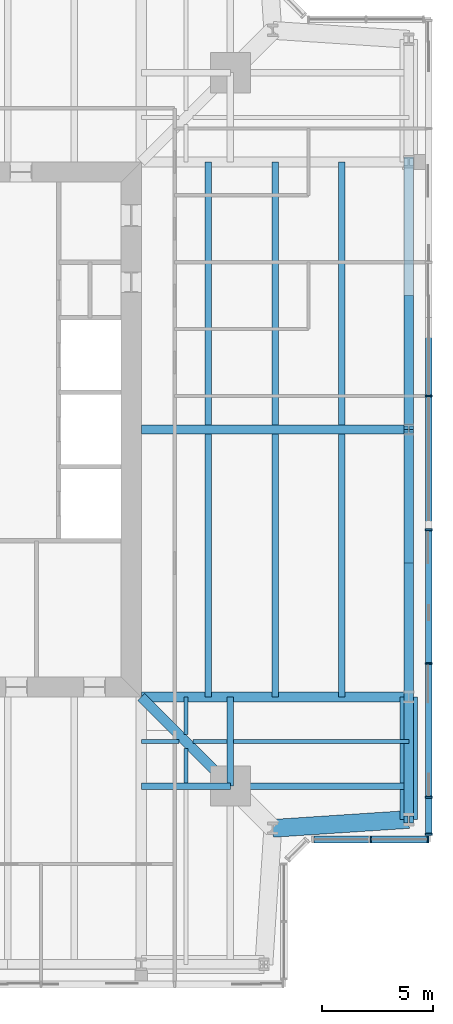
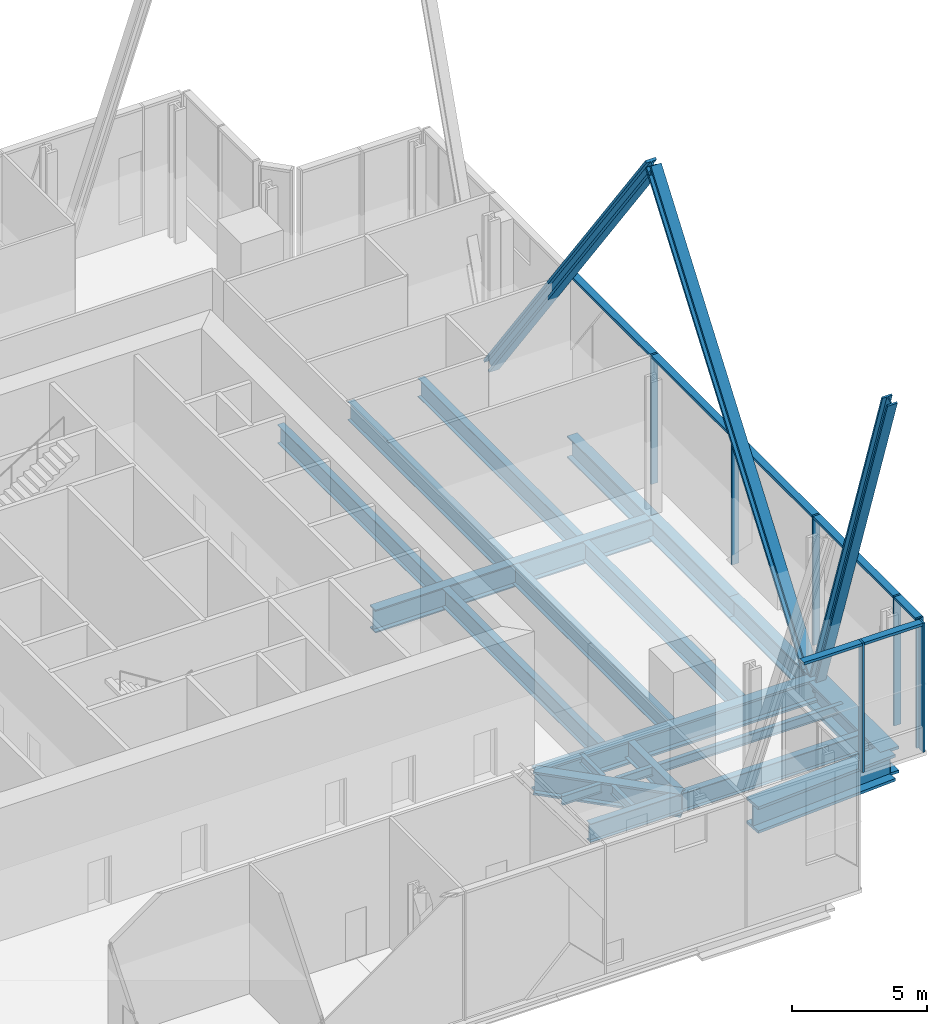
# One storey, part 4 of 20: 22 beams, 17 members, 2 elements without a shape of their own.
"""IFC4 building model written with IfcOpenShell, lengths in metres."""

from ifc_helpers import new_model, si_unit, direction, frame, origin, origin_2d, place, context, subcontext, project, spatial, rectangle, i_section, extrude, material, material_profile, profile_set, type_object, element, aggregate, save


model = new_model("IFC4")

# Units and contexts
model_context = context("Model", 3, precision=1e-05, world=origin(), true_north=direction((0.0, 1.0)))
body_context = subcontext(model_context, "Body", "Model", "MODEL_VIEW")
ifc_project = project(units=[si_unit("LENGTHUNIT", "METRE"), si_unit("AREAUNIT", "SQUARE_METRE"), si_unit("VOLUMEUNIT", "CUBIC_METRE"), si_unit("PLANEANGLEUNIT", "RADIAN"), si_unit("MASSUNIT", "GRAM", prefix="KILO")], contexts=[model_context])

# Site, building, storey
site_placement = place(None, origin())
site = spatial("IfcSite", under=ifc_project, at=site_placement, CompositionType="ELEMENT")
building_placement = place(site_placement, origin())
building = spatial("IfcBuilding", under=site, at=building_placement, Name="Fenwick Lantern Interchange", CompositionType="ELEMENT")
storey_placement = place(building_placement, frame((0.0, 0.0, 239.800048828125)))
storey = spatial("IfcBuildingStorey", under=building, at=storey_placement, Name="L56", CompositionType="ELEMENT", Elevation=239.800048828125)

# Members
ifc_material_1 = material(Name="Steel ASTM A992 Grade 50", Category="steel")
ifc_material_profile_1 = material_profile(ifc_material_1, i_section(OverallWidth=0.424072265625, OverallDepth=0.47509765625, WebThickness=0.0478515625, FlangeThickness=0.0771484375, at=origin_2d()), Name="W14X426")
ifc_profile_set_1 = profile_set([ifc_material_profile_1], Name="Steel ASTM A992 Grade 50")
member_type_1 = type_object("IfcMemberType", Name="FACADE BRACE W14X426", PredefinedType="BRACE", material=ifc_profile_set_1)
member_1_placement = place(storey_placement, frame((49.0, 13.0, -0.696533203125), z_axis=(0.0, -0.31988030157, 0.947457963536), x_axis=(1.0, 0.0, 0.0)))
element("IfcMember", 1, at=member_1_placement, inside=storey, type_object=member_type_1, Name="L56/FB/E/AE", PredefinedType="BRACE", context=body_context, shape_type="SweptSolid", body=[
    extrude(i_section(OverallWidth=0.424072265625, OverallDepth=0.47509765625, WebThickness=0.0478515625, FlangeThickness=0.0771484375, at=origin_2d()), origin(), (0.0, 0.0, 1.0), 17.19384765625),
])
ifc_material_profile_2 = material_profile(ifc_material_1, i_section(OverallWidth=0.44189453125, OverallDepth=0.53076171875, WebThickness=0.06591796875, FlangeThickness=0.105712890625, at=origin_2d()), Name="W14X605")
ifc_profile_set_2 = profile_set([ifc_material_profile_2], Name="Steel ASTM A992 Grade 50")
member_type_2 = type_object("IfcMemberType", Name="FACADE BRACE W14X605", PredefinedType="BRACE", material=ifc_profile_set_2)
for number, where, z_axis, x_axis, name in (
    (2, (49.0, 13.0, -0.696533203125), (0.0, 0.593085430779, 0.805139535607), (-1.0, 0.0, 0.0), "L56/FB/E/A"),
    (3, (49.0, 37.0, -0.696533203125), (0.0, -0.593085430779, 0.805139535607), (1.0, 0.0, 0.0), "L56/FB/E/B"),
):
    element("IfcMember", number, at=place(storey_placement, frame(where, z_axis=z_axis, x_axis=x_axis)), inside=storey, type_object=member_type_2, Name=name, PredefinedType="BRACE", context=body_context, shape_type="SweptSolid", body=[
        extrude(i_section(OverallWidth=0.44189453125, OverallDepth=0.53076171875, WebThickness=0.06591796875, FlangeThickness=0.105712890625, at=origin_2d()), origin(), (0.0, 0.0, 1.0), 20.233154296875),
    ])

# Beams
ifc_material_profile_3 = material_profile(ifc_material_1, i_section(OverallWidth=0.2919921875, OverallDepth=0.845703125, WebThickness=0.015380859375, FlangeThickness=0.0244140625, at=origin_2d()), Name="W33X141")
ifc_profile_set_3 = profile_set([ifc_material_profile_3], Name="Steel ASTM A992 Grade 50")
beam_type_1 = type_object("IfcBeamType", Name="FLOOR BEAM W33X141", PredefinedType="BEAM", material=ifc_profile_set_3)
for number, where, z_axis, x_axis, name in (
    (4, (46.0, 13.0, -0.623046875), (0.0, 1.0, 0.0), (-1.0, 0.0, 0.0), "L56/FR/E/B01"),
    (5, (43.0, 13.0, -0.623046875), (0.0, 1.0, 0.0), (-1.0, 0.0, 0.0), "L56/FR/E/B02"),
    (6, (40.0, 13.0, -0.623046875), (0.0, 1.0, 0.0), (-1.0, 0.0, 0.0), "L56/FR/E/B03"),
    (7, (46.0, 25.20458984375, -0.623046875), (0.0, 1.0, 0.0), (-1.0, 0.0, 0.0), "L56/FR/E/B04"),
    (8, (43.0, 25.20458984375, -0.623046875), (0.0, 1.0, 0.0), (-1.0, 0.0, 0.0), "L56/FR/E/B05"),
    (9, (40.0, 25.20458984375, -0.623046875), (0.0, 1.0, 0.0), (-1.0, 0.0, 0.0), "L56/FR/E/B06"),
):
    element("IfcBeam", number, at=place(storey_placement, frame(where, z_axis=z_axis, x_axis=x_axis)), inside=storey, type_object=beam_type_1, Name=name, PredefinedType="BEAM", context=body_context, shape_type="SweptSolid", body=[
        extrude(i_section(OverallWidth=0.2919921875, OverallDepth=0.845703125, WebThickness=0.015380859375, FlangeThickness=0.0244140625, at=origin_2d()), origin(), (0.0, 0.0, 1.0), 11.79541015625),
    ])
ifc_material_profile_4 = material_profile(ifc_material_1, i_section(OverallWidth=0.177734375, OverallDepth=0.406494140625, WebThickness=0.0078125, FlangeThickness=0.012939453125, at=origin_2d()), Name="W16X40")
ifc_profile_set_4 = profile_set([ifc_material_profile_4], Name="Steel ASTM A992 Grade 50")
beam_type_2 = type_object("IfcBeamType", Name="INFILL BEAM W16X40", PredefinedType="JOIST", material=ifc_profile_set_4)
beam_1_placement = place(storey_placement, frame((49.0, 11.0, -0.4033203125), z_axis=(-1.0, 0.0, 0.0), x_axis=(0.0, -1.0, 0.0)))
element("IfcBeam", 10, at=beam_1_placement, inside=storey, type_object=beam_type_2, Name="L56/FR/E/J1", PredefinedType="JOIST", context=body_context, shape_type="SweptSolid", body=[
    extrude(i_section(OverallWidth=0.177734375, OverallDepth=0.406494140625, WebThickness=0.0078125, FlangeThickness=0.012939453125, at=origin_2d()), origin(), (0.0, 0.0, 1.0), 7.85400390625),
])
beam_2_placement = place(storey_placement, frame((40.85400390625, 11.0, -0.4033203125), z_axis=(-1.0, 0.0, 0.0), x_axis=(0.0, -1.0, 0.0)))
element("IfcBeam", 11, at=beam_2_placement, inside=storey, type_object=beam_type_2, Name="L56/FR/E/J2", PredefinedType="JOIST", context=body_context, shape_type="SweptSolid", body=[
    extrude(i_section(OverallWidth=0.177734375, OverallDepth=0.406494140625, WebThickness=0.0078125, FlangeThickness=0.012939453125, at=origin_2d()), origin(), (0.0, 0.0, 1.0), 1.537841796875),
])
beam_3_placement = place(storey_placement, frame((38.683837890625, 11.0, -0.4033203125), z_axis=(-1.0, 0.0, 0.0), x_axis=(0.0, -1.0, 0.0)))
element("IfcBeam", 12, at=beam_3_placement, inside=storey, type_object=beam_type_2, Name="L56/FR/E/J6", PredefinedType="JOIST", context=body_context, shape_type="SweptSolid", body=[
    extrude(i_section(OverallWidth=0.177734375, OverallDepth=0.406494140625, WebThickness=0.0078125, FlangeThickness=0.012939453125, at=origin_2d()), origin(), (0.0, 0.0, 1.0), 1.683837890625),
])
beam_4_placement = place(storey_placement, frame((39.0, 9.14599609375, -0.4033203125), z_axis=(0.0, 1.0, 0.0), x_axis=(-1.0, 0.0, 0.0)))
element("IfcBeam", 13, at=beam_4_placement, inside=storey, type_object=beam_type_2, Name="L56/FR/E/J4", PredefinedType="JOIST", context=body_context, shape_type="SweptSolid", body=[
    extrude(i_section(OverallWidth=0.177734375, OverallDepth=0.406494140625, WebThickness=0.0078125, FlangeThickness=0.012939453125, at=origin_2d()), origin(), (0.0, 0.0, 1.0), 1.537841796875),
])
beam_5_placement = place(storey_placement, frame((39.0, 11.316162109375, -0.4033203125), z_axis=(0.0, 1.0, 0.0), x_axis=(-1.0, 0.0, 0.0)))
element("IfcBeam", 14, at=beam_5_placement, inside=storey, type_object=beam_type_2, Name="L56/FR/E/J5", PredefinedType="JOIST", context=body_context, shape_type="SweptSolid", body=[
    extrude(i_section(OverallWidth=0.177734375, OverallDepth=0.406494140625, WebThickness=0.0078125, FlangeThickness=0.012939453125, at=origin_2d()), origin(), (0.0, 0.0, 1.0), 1.683837890625),
])
ifc_material_profile_5 = material_profile(ifc_material_1, i_section(OverallWidth=0.2919921875, OverallDepth=0.845703125, WebThickness=0.015380859375, FlangeThickness=0.0244140625, at=origin_2d()), Name="W33X141")
ifc_profile_set_5 = profile_set([ifc_material_profile_5], Name="Steel ASTM A992 Grade 50")
beam_type_3 = type_object("IfcBeamType", Name="MEGA COLUMN BEAM W33X141", PredefinedType="BEAM", material=ifc_profile_set_5)
beam_6_placement = place(storey_placement, frame((41.0, 9.0, -0.623046875), z_axis=(1.0, 0.0, 0.0), x_axis=(0.0, 1.0, 0.0)))
element("IfcBeam", 15, at=beam_6_placement, inside=storey, type_object=beam_type_3, Name="L56/FR/E/MB1", PredefinedType="BEAM", context=body_context, shape_type="SweptSolid", body=[
    extrude(i_section(OverallWidth=0.2919921875, OverallDepth=0.845703125, WebThickness=0.015380859375, FlangeThickness=0.0244140625, at=origin_2d()), origin(), (0.0, 0.0, 1.0), 8.0),
])
for number, where, z_axis, x_axis, name in (
    (16, (41.0, 9.0, -0.623046875), (0.0, 1.0, 0.0), (-1.0, 0.0, 0.0), "L56/FR/E/MB3"),
    (17, (41.0, 9.0, -0.623046875), (-1.0, 0.0, 0.0), (0.0, -1.0, 0.0), "L56/FR/E/MB4"),
):
    element("IfcBeam", number, at=place(storey_placement, frame(where, z_axis=z_axis, x_axis=x_axis)), inside=storey, type_object=beam_type_3, Name=name, PredefinedType="BEAM", context=body_context, shape_type="SweptSolid", body=[
        extrude(i_section(OverallWidth=0.2919921875, OverallDepth=0.845703125, WebThickness=0.015380859375, FlangeThickness=0.0244140625, at=origin_2d()), origin(), (0.0, 0.0, 1.0), 4.0),
    ])
ifc_material_profile_6 = material_profile(ifc_material_1, i_section(OverallWidth=0.447021484375, OverallDepth=1.0439453125, WebThickness=0.050048828125, FlangeThickness=0.08984375, at=origin_2d()), Name="W36X652")
ifc_profile_set_6 = profile_set([ifc_material_profile_6], Name="Steel ASTM A992 Grade 50")
beam_type_4 = type_object("IfcBeamType", Name="MOMENT-CONNECTED GIRDER W36X652", PredefinedType="BEAM", material=ifc_profile_set_6)
beam_7_placement = place(storey_placement, frame((49.0, 13.0, -0.721923828125), z_axis=(-1.0, 0.0, 0.0), x_axis=(0.0, -1.0, 0.0)))
element("IfcBeam", 18, at=beam_7_placement, inside=storey, type_object=beam_type_4, Name="L56/FR/E/R01", PredefinedType="BEAM", context=body_context, shape_type="SweptSolid", body=[
    extrude(i_section(OverallWidth=0.447021484375, OverallDepth=1.0439453125, WebThickness=0.050048828125, FlangeThickness=0.08984375, at=origin_2d()), origin(), (0.0, 0.0, 1.0), 12.0),
])
ifc_material_profile_7 = material_profile(ifc_material_1, i_section(OverallWidth=0.408935546875, OverallDepth=1.04150390625, WebThickness=0.031005859375, FlangeThickness=0.055908203125, at=origin_2d()), Name="W40X397")
ifc_profile_set_7 = profile_set([ifc_material_profile_7], Name="Steel ASTM A992 Grade 50")
beam_type_5 = type_object("IfcBeamType", Name="MOMENT-CONNECTED GIRDER W40X397", PredefinedType="BEAM", material=ifc_profile_set_7)
beam_8_placement = place(storey_placement, frame((49.0, 25.0, -0.720703125), z_axis=(-1.0, 0.0, 0.0), x_axis=(0.0, -1.0, 0.0)))
element("IfcBeam", 19, at=beam_8_placement, inside=storey, type_object=beam_type_5, Name="L56/FR/E/R02", PredefinedType="BEAM", context=body_context, shape_type="SweptSolid", body=[
    extrude(i_section(OverallWidth=0.408935546875, OverallDepth=1.04150390625, WebThickness=0.031005859375, FlangeThickness=0.055908203125, at=origin_2d()), origin(), (0.0, 0.0, 1.0), 12.0),
])
ifc_material_2 = material(Name="Steel ASTM A572 Grade 42", Category="steel")
ifc_material_profile_8 = material_profile(ifc_material_2, i_section(OverallWidth=0.800048828125, OverallDepth=1.199951171875, WebThickness=0.06005859375, FlangeThickness=0.1201171875, at=origin_2d()), Name="BU1200X800")
ifc_profile_set_8 = profile_set([ifc_material_profile_8], Name="Steel ASTM A572 Grade 42")
beam_type_6 = type_object("IfcBeamType", Name="MOMENT-CONNECTED TRANSFER GIRDER BU1200X800", PredefinedType="BEAM", material=ifc_profile_set_8)
beam_9_placement = place(storey_placement, frame((42.89990234375, 7.10009765625, -0.800048828125), z_axis=(0.997858060337, 0.065416293237, 0.0), x_axis=(-0.065416293237, 0.997858060337, 0.0)))
element("IfcBeam", 20, at=beam_9_placement, inside=storey, type_object=beam_type_6, Name="L56/FR/S/EBR2", PredefinedType="BEAM", context=body_context, shape_type="SweptSolid", body=[
    extrude(i_section(OverallWidth=0.800048828125, OverallDepth=1.199951171875, WebThickness=0.06005859375, FlangeThickness=0.1201171875, at=origin_2d()), origin(), (0.0, 0.0, 1.0), 6.11328125),
])
beam_10_placement = place(storey_placement, frame((49.0, 7.5, -0.800048828125), z_axis=(0.0, 1.0, 0.0), x_axis=(-1.0, 0.0, 0.0)))
element("IfcBeam", 21, at=beam_10_placement, inside=storey, type_object=beam_type_6, Name="L56/FR/E/EB1", PredefinedType="BEAM", context=body_context, shape_type="SweptSolid", body=[
    extrude(i_section(OverallWidth=0.800048828125, OverallDepth=1.199951171875, WebThickness=0.06005859375, FlangeThickness=0.1201171875, at=origin_2d()), origin(), (0.0, 0.0, 1.0), 5.5),
])
ifc_material_profile_9 = material_profile(ifc_material_1, i_section(OverallWidth=0.447021484375, OverallDepth=1.0439453125, WebThickness=0.050048828125, FlangeThickness=0.08984375, at=origin_2d()), Name="W36X652")
ifc_profile_set_9 = profile_set([ifc_material_profile_9], Name="Steel ASTM A992 Grade 50")
beam_type_7 = type_object("IfcBeamType", Name="OUTRIGGER CHORD W36X652", PredefinedType="BEAM", material=ifc_profile_set_9)
beam_11_placement = place(storey_placement, frame((37.0, 13.0, -0.721923828125), z_axis=(0.707106781187, -0.707106781187, 0.0), x_axis=(0.707106781187, 0.707106781187, 0.0)))
element("IfcBeam", 22, at=beam_11_placement, inside=storey, type_object=beam_type_7, Name="L56/OR/E/TC", PredefinedType="BEAM", context=body_context, shape_type="SweptSolid", body=[
    extrude(i_section(OverallWidth=0.447021484375, OverallDepth=1.0439453125, WebThickness=0.050048828125, FlangeThickness=0.08984375, at=origin_2d()), origin(), (0.0, 0.0, 1.0), 5.65673828125),
])

# Curtain wall, members
ifc_material_3 = material(Name="Aluminium curtain wall frame", Category="aluminium")
curtain_wall_type = type_object("IfcCurtainWallType", Name="SKY LOBBY GLAZING", PredefinedType="USERDEFINED", material=ifc_material_3)
curtain_wall_1_placement = place(storey_placement, origin())
curtain_wall_1 = element("IfcCurtainWall", 23, at=curtain_wall_1_placement, inside=storey, type_object=curtain_wall_type, Name="Sky lobby glazing 04", ObjectType="SKY LOBBY GLAZING", PredefinedType="USERDEFINED")
ifc_material_4 = material(Name="Aluminium extrusion", Category="aluminium")
ifc_material_profile_10 = material_profile(ifc_material_4, rectangle(XDim=0.300048828125, YDim=0.080078125, at=origin_2d()), Name="SKY LOBBY GLAZING MULLION 80 X 300")
ifc_profile_set_10 = profile_set([ifc_material_profile_10], Name="Aluminium extrusion")
member_type_3 = type_object("IfcMemberType", Name="SKY LOBBY GLAZING MULLION 80 X 300", PredefinedType="MULLION", material=ifc_profile_set_10)
member_2_placement = place(storey_placement, frame((47.279296875, 6.60009765625, 0.0), z_axis=(0.0, 0.0, 1.0), x_axis=(0.0, 1.0, 0.0)))
member_2 = element("IfcMember", 24, at=member_2_placement, type_object=member_type_3, Name="L56/CW/04/M01", PredefinedType="MULLION", context=body_context, shape_type="SweptSolid", body=[
    extrude(rectangle(XDim=0.300048828125, YDim=0.080078125, at=origin_2d()), origin(), (0.0, 0.0, 1.0), 5.849853515625),
])
member_3_placement = place(storey_placement, frame((49.860107421875, 6.60009765625, 0.0), z_axis=(0.0, 0.0, 1.0), x_axis=(0.0, 1.0, 0.0)))
member_3 = element("IfcMember", 25, at=member_3_placement, type_object=member_type_3, Name="L56/CW/04/M02", PredefinedType="MULLION", context=body_context, shape_type="SweptSolid", body=[
    extrude(rectangle(XDim=0.300048828125, YDim=0.080078125, at=origin_2d()), origin(), (0.0, 0.0, 1.0), 5.849853515625),
])

curtain_wall_2_placement = place(storey_placement, origin())
curtain_wall_2 = element("IfcCurtainWall", 26, at=curtain_wall_2_placement, inside=storey, type_object=curtain_wall_type, Name="Sky lobby glazing 05", ObjectType="SKY LOBBY GLAZING", PredefinedType="USERDEFINED")
member_4_placement = place(storey_placement, frame((49.89990234375, 6.840087890625, 0.0), z_axis=(0.0, 0.0, 1.0), x_axis=(-1.0, 0.0, 0.0)))
member_4 = element("IfcMember", 27, at=member_4_placement, type_object=member_type_3, Name="L56/CW/05/M00", PredefinedType="MULLION", context=body_context, shape_type="SweptSolid", body=[
    extrude(rectangle(XDim=0.300048828125, YDim=0.080078125, at=origin_2d()), origin(), (0.0, 0.0, 1.0), 5.849853515625),
])
member_5_placement = place(storey_placement, frame((49.89990234375, 8.5, 0.0), z_axis=(0.0, 0.0, 1.0), x_axis=(-1.0, 0.0, 0.0)))
member_5 = element("IfcMember", 28, at=member_5_placement, type_object=member_type_3, Name="L56/CW/05/M01", PredefinedType="MULLION", context=body_context, shape_type="SweptSolid", body=[
    extrude(rectangle(XDim=0.300048828125, YDim=0.080078125, at=origin_2d()), origin(), (0.0, 0.0, 1.0), 5.849853515625),
])
member_6_placement = place(storey_placement, frame((49.89990234375, 14.5, 0.0), z_axis=(0.0, 0.0, 1.0), x_axis=(-1.0, 0.0, 0.0)))
member_6 = element("IfcMember", 29, at=member_6_placement, type_object=member_type_3, Name="L56/CW/05/M02", PredefinedType="MULLION", context=body_context, shape_type="SweptSolid", body=[
    extrude(rectangle(XDim=0.300048828125, YDim=0.080078125, at=origin_2d()), origin(), (0.0, 0.0, 1.0), 5.849853515625),
])
member_7_placement = place(storey_placement, frame((49.89990234375, 20.5, 0.0), z_axis=(0.0, 0.0, 1.0), x_axis=(-1.0, 0.0, 0.0)))
member_7 = element("IfcMember", 30, at=member_7_placement, type_object=member_type_3, Name="L56/CW/05/M03", PredefinedType="MULLION", context=body_context, shape_type="SweptSolid", body=[
    extrude(rectangle(XDim=0.300048828125, YDim=0.080078125, at=origin_2d()), origin(), (0.0, 0.0, 1.0), 5.849853515625),
])
member_8_placement = place(storey_placement, frame((49.89990234375, 26.5, 0.0), z_axis=(0.0, 0.0, 1.0), x_axis=(-1.0, 0.0, 0.0)))
member_8 = element("IfcMember", 31, at=member_8_placement, type_object=member_type_3, Name="L56/CW/05/M04", PredefinedType="MULLION", context=body_context, shape_type="SweptSolid", body=[
    extrude(rectangle(XDim=0.300048828125, YDim=0.080078125, at=origin_2d()), origin(), (0.0, 0.0, 1.0), 5.849853515625),
])

# Member
ifc_material_profile_11 = material_profile(ifc_material_4, rectangle(XDim=0.300048828125, YDim=0.1201171875, at=origin_2d()), Name="SKY LOBBY GLAZING TRANSOM 120 X 300")
ifc_profile_set_11 = profile_set([ifc_material_profile_11], Name="Aluminium extrusion")
member_type_4 = type_object("IfcMemberType", Name="SKY LOBBY GLAZING TRANSOM 120 X 300", PredefinedType="MULLION", material=ifc_profile_set_11)
member_9_placement = place(storey_placement, frame((44.738525390625, 6.60009765625, 5.7900390625), z_axis=(1.0, 0.0, 0.0), x_axis=(0.0, 1.0, 0.0)))
member_9 = element("IfcMember", 32, at=member_9_placement, type_object=member_type_4, Name="L56/CW/04/T00", PredefinedType="MULLION", context=body_context, shape_type="SweptSolid", body=[
    extrude(rectangle(XDim=0.300048828125, YDim=0.1201171875, at=origin_2d()), origin(), (0.0, 0.0, 1.0), 2.500732421875),
])

member_10_placement = place(storey_placement, frame((47.3193359375, 6.60009765625, 5.7900390625), z_axis=(1.0, 0.0, 0.0), x_axis=(0.0, 1.0, 0.0)))
member_10 = element("IfcMember", 33, at=member_10_placement, type_object=member_type_4, Name="L56/CW/04/T01", PredefinedType="MULLION", context=body_context, shape_type="SweptSolid", body=[
    extrude(rectangle(XDim=0.300048828125, YDim=0.1201171875, at=origin_2d()), origin(), (0.0, 0.0, 1.0), 2.500732421875),
])

aggregate(curtain_wall_1, [member_2, member_3, member_9, member_10])

member_11_placement = place(storey_placement, frame((49.89990234375, 6.8798828125, 5.7900390625), z_axis=(0.0, 1.0, 0.0), x_axis=(-1.0, 0.0, 0.0)))
member_11 = element("IfcMember", 34, at=member_11_placement, type_object=member_type_4, Name="L56/CW/05/T00", PredefinedType="MULLION", context=body_context, shape_type="SweptSolid", body=[
    extrude(rectangle(XDim=0.300048828125, YDim=0.1201171875, at=origin_2d()), origin(), (0.0, 0.0, 1.0), 1.580078125),
])

member_12_placement = place(storey_placement, frame((49.89990234375, 8.5400390625, 5.7900390625), z_axis=(0.0, 1.0, 0.0), x_axis=(-1.0, 0.0, 0.0)))
member_12 = element("IfcMember", 35, at=member_12_placement, type_object=member_type_4, Name="L56/CW/05/T01", PredefinedType="MULLION", context=body_context, shape_type="SweptSolid", body=[
    extrude(rectangle(XDim=0.300048828125, YDim=0.1201171875, at=origin_2d()), origin(), (0.0, 0.0, 1.0), 5.919921875),
])

member_13_placement = place(storey_placement, frame((49.89990234375, 14.5400390625, 5.7900390625), z_axis=(0.0, 1.0, 0.0), x_axis=(-1.0, 0.0, 0.0)))
member_13 = element("IfcMember", 36, at=member_13_placement, type_object=member_type_4, Name="L56/CW/05/T02", PredefinedType="MULLION", context=body_context, shape_type="SweptSolid", body=[
    extrude(rectangle(XDim=0.300048828125, YDim=0.1201171875, at=origin_2d()), origin(), (0.0, 0.0, 1.0), 5.919921875),
])

member_14_placement = place(storey_placement, frame((49.89990234375, 20.5400390625, 5.7900390625), z_axis=(0.0, 1.0, 0.0), x_axis=(-1.0, 0.0, 0.0)))
member_14 = element("IfcMember", 37, at=member_14_placement, type_object=member_type_4, Name="L56/CW/05/T03", PredefinedType="MULLION", context=body_context, shape_type="SweptSolid", body=[
    extrude(rectangle(XDim=0.300048828125, YDim=0.1201171875, at=origin_2d()), origin(), (0.0, 0.0, 1.0), 5.919921875),
])

member_15_placement = place(storey_placement, frame((49.89990234375, 26.5400390625, 5.7900390625), z_axis=(0.0, 1.0, 0.0), x_axis=(-1.0, 0.0, 0.0)))
member_15 = element("IfcMember", 38, at=member_15_placement, type_object=member_type_4, Name="L56/CW/05/T04", PredefinedType="MULLION", context=body_context, shape_type="SweptSolid", body=[
    extrude(rectangle(XDim=0.300048828125, YDim=0.1201171875, at=origin_2d()), origin(), (0.0, 0.0, 1.0), 5.919921875),
])

aggregate(curtain_wall_2, [member_4, member_5, member_6, member_7, member_8, member_11, member_12, member_13, member_14, member_15])

# Beams
ifc_material_profile_12 = material_profile(ifc_material_1, i_section(OverallWidth=0.434326171875, OverallDepth=0.9931640625, WebThickness=0.0380859375, FlangeThickness=0.06396484375, at=origin_2d()), Name="W36X487")
ifc_profile_set_12 = profile_set([ifc_material_profile_12], Name="Steel ASTM A992 Grade 50")
beam_type_8 = type_object("IfcBeamType", Name="TRUSS CHORD EDGE BEAM W36X487", PredefinedType="BEAM", material=ifc_profile_set_12)
for number, where, z_axis, x_axis, name in (
    (39, (49.0, 13.0, -0.696533203125), (0.0, 1.0, 0.0), (-1.0, 0.0, 0.0), "L56/FR/E/EB2"),
    (40, (49.0, 19.0, -0.696533203125), (0.0, 1.0, 0.0), (-1.0, 0.0, 0.0), "L56/FR/E/EB3"),
    (41, (49.0, 25.0, -0.696533203125), (0.0, 1.0, 0.0), (-1.0, 0.0, 0.0), "L56/FR/E/EB4"),
):
    element("IfcBeam", number, at=place(storey_placement, frame(where, z_axis=z_axis, x_axis=x_axis)), inside=storey, type_object=beam_type_8, Name=name, PredefinedType="BEAM", context=body_context, shape_type="SweptSolid", body=[
        extrude(i_section(OverallWidth=0.434326171875, OverallDepth=0.9931640625, WebThickness=0.0380859375, FlangeThickness=0.06396484375, at=origin_2d()), origin(), (0.0, 0.0, 1.0), 6.0),
    ])

save(model, "model.ifc")
